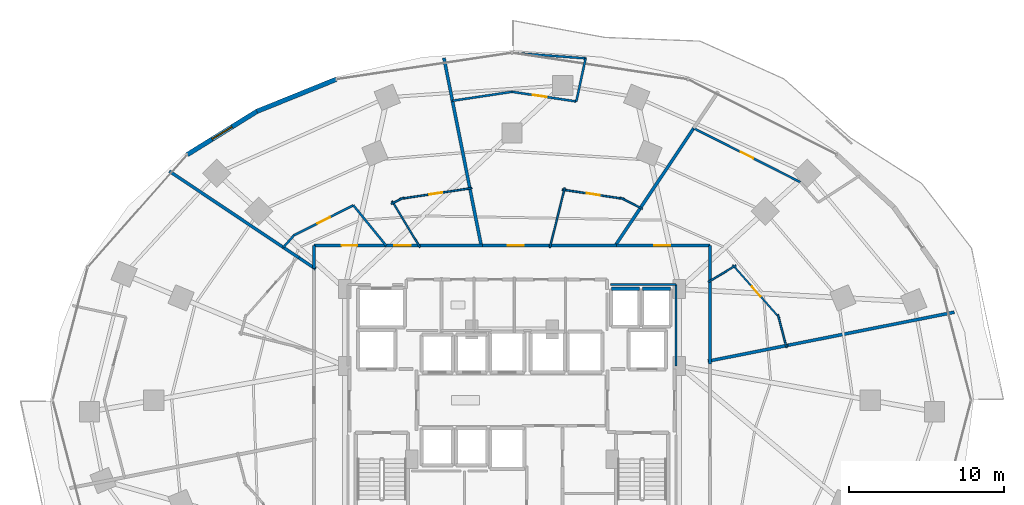
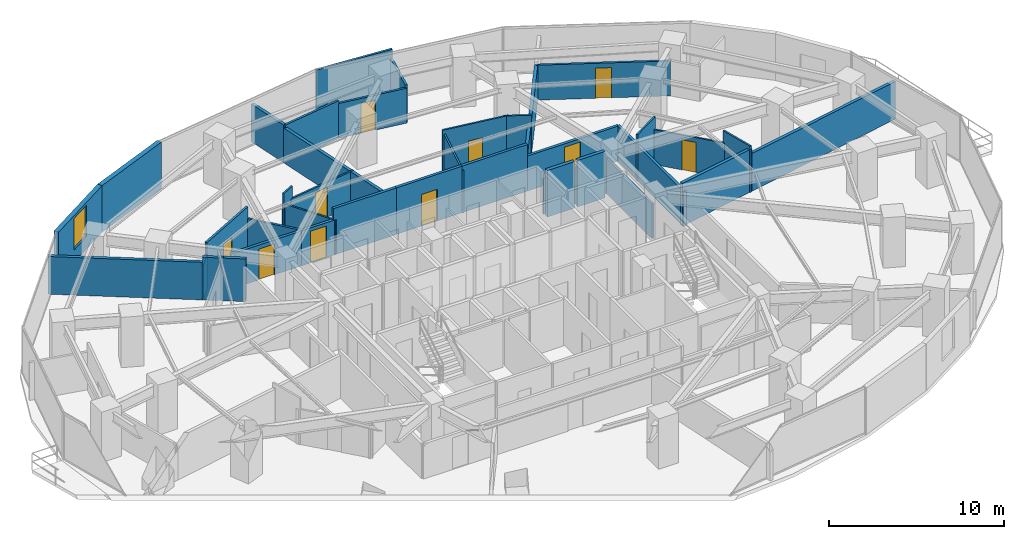
# One storey, part 26 of 30: 40 walls, 10 doors, 1 window, 11 openings.
"""IFC4 building model written with IfcOpenShell, lengths in metres."""

from ifc_helpers import new_model, si_unit, direction, frame, frame_2d, origin, place, context, subcontext, project, spatial, rectangle, extrude, material, layer, layer_set, type_object, element, fill, save


model = new_model("IFC4")

# Units and contexts
model_context = context("Model", 3, precision=1e-05, world=origin(), true_north=direction((0.0, 1.0)))
body_context = subcontext(model_context, "Body", "Model", "MODEL_VIEW")
ifc_project = project(units=[si_unit("LENGTHUNIT", "METRE"), si_unit("AREAUNIT", "SQUARE_METRE"), si_unit("VOLUMEUNIT", "CUBIC_METRE"), si_unit("PLANEANGLEUNIT", "RADIAN"), si_unit("MASSUNIT", "GRAM", prefix="KILO")], contexts=[model_context])

# Site, building, storey
site_placement = place(None, origin())
site = spatial("IfcSite", under=ifc_project, at=site_placement, CompositionType="ELEMENT")
building_placement = place(site_placement, origin())
building = spatial("IfcBuilding", under=site, at=building_placement, Name="Vorneva Point Tower", CompositionType="ELEMENT")
storey_placement = place(building_placement, frame((0.0, 0.0, 41.5)))
storey = spatial("IfcBuildingStorey", under=building, at=storey_placement, Name="L10", CompositionType="ELEMENT", Elevation=41.5)

# Wall
ifc_material_1 = material(Name="Precast concrete B50 (C40/50)", Category="concrete")
ifc_layer_1 = layer(ifc_material_1, 0.300048828125)
ifc_layer_set_1 = layer_set([ifc_layer_1], Name="Precast concrete B50 (C40/50)")
wall_type_1 = type_object("IfcWallType", Name="WL-EXT-300", PredefinedType="STANDARD", material=ifc_layer_set_1)
wall_1_placement = place(storey_placement, frame((26.691650390625, 46.648681640625, 0.0), z_axis=(0.0, 0.0, 1.0), x_axis=(-0.927095325176, -0.374825636845, 0.0)))
element("IfcWall", 1, at=wall_1_placement, inside=storey, type_object=wall_type_1, Name="L10 Pale-Metal Facade Spandrel Wall 06.1", PredefinedType="STANDARD", context=body_context, shape_type="SweptSolid", body=[
    extrude(rectangle(XDim=5.51025390625, YDim=0.300048828125, at=frame_2d((2.755126953125, 0.0))), origin(), (0.0, 0.0, 1.0), 3.239990234375),
])

# Wall, opening, window
wall_2_placement = place(storey_placement, frame((21.5830078125, 44.583251953125, 0.0), z_axis=(0.0, 0.0, 1.0), x_axis=(-0.849633724826, -0.527373239404, 0.0)))
wall_2 = element("IfcWall", 2, at=wall_2_placement, inside=storey, type_object=wall_type_1, Name="L10 Pale-Metal Facade Spandrel Wall 06.2", PredefinedType="STANDARD", context=body_context, shape_type="SweptSolid", body=[
    extrude(rectangle(XDim=5.2705078125, YDim=0.300048828125, at=frame_2d((2.63525390625, 0.0))), origin(), (0.0, 0.0, 1.0), 3.239990234375),
])
opening_1_placement = place(wall_2_placement, frame((1.88525390625, 0.0, 0.85009765625)))
opening_1 = element("IfcOpeningElement", 3, at=opening_1_placement, cuts=wall_2, Name="Opening W-02", PredefinedType="OPENING", context=body_context, shape_type="SweptSolid", body=[
    extrude(rectangle(XDim=1.5, YDim=2.18994140625, at=frame_2d((0.75, 1.094970703125))), frame((0.0, 0.1650390625, 0.0), z_axis=(0.0, -1.0, 0.0), x_axis=(1.0, 0.0, 0.0)), (0.0, 0.0, 1.0), 0.329833984375),
])
ifc_material_2 = material(Name="Double low-e laminated glass IGU", Category="glass")
window_type = type_object("IfcWindowType", Name="WN-HTL-1500", PartitioningType="SINGLE_PANEL", PredefinedType="WINDOW", material=ifc_material_2)
window_placement = place(opening_1_placement, origin())
window = element("IfcWindow", 4, at=window_placement, inside=storey, type_object=window_type, Name="L10 Facade Window 06", OverallHeight=2.18994140625, OverallWidth=1.5, PartitioningType="SINGLE_PANEL", PredefinedType="WINDOW", context=body_context, shape_type="SweptSolid", body=[
    extrude(rectangle(XDim=1.5, YDim=2.18994140625, at=frame_2d((0.75, 1.094970703125))), frame((0.0, 0.030029296875, 0.0), z_axis=(0.0, -1.0, 0.0), x_axis=(1.0, 0.0, 0.0)), (0.0, 0.0, 1.0), 0.06005859375),
])
fill(opening_1, window)

# Wall
ifc_material_3 = material(Name="Fire-rated acoustic gypsum stud partition", Category="gypsum")
ifc_layer_2 = layer(ifc_material_3, 0.110107421875)
ifc_layer_set_2 = layer_set([ifc_layer_2], Name="Fire-rated acoustic gypsum stud partition")
wall_type_2 = type_object("IfcWallType", Name="WL-PART-110", PredefinedType="PARTITIONING", material=ifc_layer_set_2)
wall_3_placement = place(storey_placement, frame((50.630126953125, 33.603759765625, 0.0), z_axis=(0.0, 0.0, 1.0), x_axis=(0.856631627837, 0.515928535932, 0.0)))
element("IfcWall", 5, at=wall_3_placement, inside=storey, type_object=wall_type_2, Name="L10 Interior Partition 049", PredefinedType="PARTITIONING", context=body_context, shape_type="SweptSolid", body=[
    extrude(rectangle(XDim=2.078857421875, YDim=0.110107421875, at=frame_2d((1.03955078125, 0.0))), origin(), (0.0, 0.0, 1.0), 3.239990234375),
])

# Wall, opening, door
wall_4_placement = place(storey_placement, frame((52.1982421875, 34.708984375, 0.0), z_axis=(0.0, 0.0, 1.0), x_axis=(0.662071486681, -0.74944068913, 0.0)))
wall_4 = element("IfcWall", 6, at=wall_4_placement, inside=storey, type_object=wall_type_2, Name="L10 Interior Partition 050", PredefinedType="PARTITIONING", context=body_context, shape_type="SweptSolid", body=[
    extrude(rectangle(XDim=4.593994140625, YDim=0.110107421875, at=frame_2d((2.296875, 0.0))), origin(), (0.0, 0.0, 1.0), 2.431884765625),
])
opening_2_placement = place(wall_4_placement, frame((1.871826171875, 0.0, 0.0)))
opening_2 = element("IfcOpeningElement", 7, at=opening_2_placement, cuts=wall_4, Name="Opening ID-02", PredefinedType="OPENING", context=body_context, shape_type="SweptSolid", body=[
    extrude(rectangle(XDim=0.85009765625, YDim=2.10009765625, at=frame_2d((0.425048828125, 1.050048828125))), frame((0.0, 0.06982421875, 0.0), z_axis=(0.0, -1.0, 0.0), x_axis=(1.0, 0.0, 0.0)), (0.0, 0.0, 1.0), 0.139892578125),
])
ifc_material_4 = material(Name="Engineered oak fire-rated door leaf", Category="wood")
door_type_1 = type_object("IfcDoorType", Name="DR-BATH-850", OperationType="NOTDEFINED", PredefinedType="DOOR", material=ifc_material_4)
door_1_placement = place(opening_2_placement, origin())
door_1 = element("IfcDoor", 8, at=door_1_placement, inside=storey, type_object=door_type_1, Name="L10 Door Executive Suite L10-01 / En-Suite Bathroom L10-01", OperationType="SINGLE_SWING_LEFT", OverallHeight=2.10009765625, OverallWidth=0.85009765625, PredefinedType="DOOR", context=body_context, shape_type="SweptSolid", body=[
    extrude(rectangle(XDim=0.85009765625, YDim=2.10009765625, at=frame_2d((0.425048828125, 1.050048828125))), frame((0.0, 0.02490234375, 0.0), z_axis=(0.0, -1.0, 0.0), x_axis=(1.0, 0.0, 0.0)), (0.0, 0.0, 1.0), 0.050048828125),
])
fill(opening_2, door_1)

# Walls
wall_5_placement = place(storey_placement, frame((55.111328125, 31.50634765625, 0.0), z_axis=(0.0, 0.0, 1.0), x_axis=(0.254389812051, -0.967101764823, 0.0)))
element("IfcWall", 9, at=wall_5_placement, inside=storey, type_object=wall_type_2, Name="L10 Interior Partition 051", PredefinedType="PARTITIONING", context=body_context, shape_type="SweptSolid", body=[
    extrude(rectangle(XDim=2.206298828125, YDim=0.110107421875, at=frame_2d((1.10302734375, 0.0))), origin(), (0.0, 0.0, 1.0), 3.239990234375),
])
wall_6_placement = place(storey_placement, frame((40.438232421875, 35.814208984375, 0.0), z_axis=(0.0, 0.0, 1.0), x_axis=(0.24101554649, 0.970521254971, 0.0)))
element("IfcWall", 10, at=wall_6_placement, inside=storey, type_object=wall_type_2, Name="L10 Interior Partition 059", PredefinedType="PARTITIONING", context=body_context, shape_type="SweptSolid", body=[
    extrude(rectangle(XDim=3.96875, YDim=0.110107421875, at=frame_2d((1.984375, 0.0))), origin(), (0.0, 0.0, 1.0), 2.971923828125),
])

# Wall, opening, door
wall_7_placement = place(storey_placement, frame((41.22265625, 39.55078125, 0.0), z_axis=(0.0, 0.0, 1.0), x_axis=(0.988911221338, -0.148507899833, 0.0)))
wall_7 = element("IfcWall", 11, at=wall_7_placement, inside=storey, type_object=wall_type_2, Name="L10 Interior Partition 060", PredefinedType="PARTITIONING", context=body_context, shape_type="SweptSolid", body=[
    extrude(rectangle(XDim=4.06396484375, YDim=0.110107421875, at=frame_2d((2.031982421875, 0.0))), origin(), (0.0, 0.0, 1.0), 3.239990234375),
])
opening_3_placement = place(wall_7_placement, frame((1.60693359375, 0.0, 0.0)))
opening_3 = element("IfcOpeningElement", 12, at=opening_3_placement, cuts=wall_7, Name="Opening ID-02", PredefinedType="OPENING", context=body_context, shape_type="SweptSolid", body=[
    extrude(rectangle(XDim=0.85009765625, YDim=2.10009765625, at=frame_2d((0.425048828125, 1.050048828125))), frame((0.0, 0.06982421875, 0.0), z_axis=(0.0, -1.0, 0.0), x_axis=(1.0, 0.0, 0.0)), (0.0, 0.0, 1.0), 0.139892578125),
])
door_2_placement = place(opening_3_placement, origin())
door_2 = element("IfcDoor", 13, at=door_2_placement, inside=storey, type_object=door_type_1, Name="L10 Door Corner Suite L10-02 / En-Suite Bathroom L10-02", OperationType="SINGLE_SWING_LEFT", OverallHeight=2.10009765625, OverallWidth=0.85009765625, PredefinedType="DOOR", context=body_context, shape_type="SweptSolid", body=[
    extrude(rectangle(XDim=0.85009765625, YDim=2.10009765625, at=frame_2d((0.425048828125, 1.050048828125))), frame((0.0, 0.02490234375, 0.0), z_axis=(0.0, -1.0, 0.0), x_axis=(1.0, 0.0, 0.0)), (0.0, 0.0, 1.0), 0.050048828125),
])
fill(opening_3, door_2)

# Walls
wall_8_placement = place(storey_placement, frame((44.97802734375, 39.03125, 0.0), z_axis=(0.0, 0.0, 1.0), x_axis=(0.892388427115, -0.451268096758, 0.0)))
element("IfcWall", 14, at=wall_8_placement, inside=storey, type_object=wall_type_2, Name="L10 Interior Partition 061", PredefinedType="PARTITIONING", context=body_context, shape_type="SweptSolid", body=[
    extrude(rectangle(XDim=1.587890625, YDim=0.110107421875, at=frame_2d((0.7939453125, 0.0))), origin(), (0.0, 0.0, 1.0), 3.239990234375),
])
wall_9_placement = place(storey_placement, frame((32.082275390625, 35.830078125, 0.0), z_axis=(0.0, 0.0, 1.0), x_axis=(-0.51585529038, 0.856675737597, 0.0)))
element("IfcWall", 15, at=wall_9_placement, inside=storey, type_object=wall_type_2, Name="L10 Interior Partition 068", PredefinedType="PARTITIONING", context=body_context, shape_type="SweptSolid", body=[
    extrude(rectangle(XDim=3.484130859375, YDim=0.110107421875, at=frame_2d((1.7421875, 0.0))), origin(), (0.0, 0.0, 1.0), 2.431884765625),
])
wall_10_placement = place(storey_placement, frame((30.232177734375, 38.6318359375, 0.0), z_axis=(0.0, 0.0, 1.0), x_axis=(0.892376579336, 0.451291525129, 0.0)))
element("IfcWall", 16, at=wall_10_placement, inside=storey, type_object=wall_type_2, Name="L10 Interior Partition 069", PredefinedType="PARTITIONING", context=body_context, shape_type="SweptSolid", body=[
    extrude(rectangle(XDim=0.885009765625, YDim=0.110107421875, at=frame_2d((0.4423828125, 0.0))), origin(), (0.0, 0.0, 1.0), 3.239990234375),
])

# Wall, opening, door
wall_11_placement = place(storey_placement, frame((30.758544921875, 38.947265625, 0.0), z_axis=(0.0, 0.0, 1.0), x_axis=(0.9889029502, 0.148562966739, 0.0)))
wall_11 = element("IfcWall", 17, at=wall_11_placement, inside=storey, type_object=wall_type_2, Name="L10 Interior Partition 070", PredefinedType="PARTITIONING", context=body_context, shape_type="SweptSolid", body=[
    extrude(rectangle(XDim=4.721435546875, YDim=0.110107421875, at=frame_2d((2.36083984375, 0.0))), origin(), (0.0, 0.0, 1.0), 2.431884765625),
])
opening_4_placement = place(wall_11_placement, frame((1.935546875, 0.0, 0.0)))
opening_4 = element("IfcOpeningElement", 18, at=opening_4_placement, cuts=wall_11, Name="Opening ID-02", PredefinedType="OPENING", context=body_context, shape_type="SweptSolid", body=[
    extrude(rectangle(XDim=0.85009765625, YDim=2.10009765625, at=frame_2d((0.425048828125, 1.050048828125))), frame((0.0, 0.06982421875, 0.0), z_axis=(0.0, -1.0, 0.0), x_axis=(1.0, 0.0, 0.0)), (0.0, 0.0, 1.0), 0.139892578125),
])
door_3_placement = place(opening_4_placement, origin())
door_3 = element("IfcDoor", 19, at=door_3_placement, inside=storey, type_object=door_type_1, Name="L10 Door Junior Suite L10-03 / En-Suite Bathroom L10-03", OperationType="SINGLE_SWING_RIGHT", OverallHeight=2.10009765625, OverallWidth=0.85009765625, PredefinedType="DOOR", context=body_context, shape_type="SweptSolid", body=[
    extrude(rectangle(XDim=0.85009765625, YDim=2.10009765625, at=frame_2d((0.425048828125, 1.050048828125))), frame((0.0, 0.02490234375, 0.0), z_axis=(0.0, -1.0, 0.0), x_axis=(1.0, 0.0, 0.0)), (0.0, 0.0, 1.0), 0.050048828125),
])
fill(opening_4, door_3)

ifc_layer_3 = layer(ifc_material_3, 0.139892578125)
ifc_layer_set_3 = layer_set([ifc_layer_3], Name="Fire-rated acoustic gypsum stud partition")
wall_type_3 = type_object("IfcWallType", Name="WL-PART-140", PredefinedType="PARTITIONING", material=ifc_layer_set_3)
wall_12_placement = place(storey_placement, frame((56.553955078125, 40.031982421875, 0.0), z_axis=(0.0, 0.0, 1.0), x_axis=(-0.892545780062, 0.450956794487, 0.0)))
wall_12 = element("IfcWall", 20, at=wall_12_placement, inside=storey, type_object=wall_type_3, Name="L10 Interior Partition 054", PredefinedType="PARTITIONING", context=body_context, shape_type="SweptSolid", body=[
    extrude(rectangle(XDim=7.688232421875, YDim=0.139892578125, at=frame_2d((3.84423828125, 0.0))), origin(), (0.0, 0.0, 1.0), 2.431884765625),
])
opening_5_placement = place(wall_12_placement, frame((3.39404296875, 0.0, 0.0)))
opening_5 = element("IfcOpeningElement", 21, at=opening_5_placement, cuts=wall_12, Name="Opening ID-01", PredefinedType="OPENING", context=body_context, shape_type="SweptSolid", body=[
    extrude(rectangle(XDim=0.89990234375, YDim=2.10009765625, at=frame_2d((0.449951171875, 1.050048828125))), frame((0.0, 0.0849609375, 0.0), z_axis=(0.0, -1.0, 0.0), x_axis=(1.0, 0.0, 0.0)), (0.0, 0.0, 1.0), 0.169677734375),
])
door_type_2 = type_object("IfcDoorType", Name="DR-ROOM-900", OperationType="NOTDEFINED", PredefinedType="DOOR", material=ifc_material_4)
door_4_placement = place(opening_5_placement, origin())
door_4 = element("IfcDoor", 22, at=door_4_placement, inside=storey, type_object=door_type_2, Name="L10 Door Executive Suite L10-01 / Suite Sitting Study L10-01", OperationType="SINGLE_SWING_RIGHT", OverallHeight=2.10009765625, OverallWidth=0.89990234375, PredefinedType="DOOR", context=body_context, shape_type="SweptSolid", body=[
    extrude(rectangle(XDim=0.89990234375, YDim=2.10009765625, at=frame_2d((0.449951171875, 1.050048828125))), frame((0.0, 0.02490234375, 0.0), z_axis=(0.0, -1.0, 0.0), x_axis=(1.0, 0.0, 0.0)), (0.0, 0.0, 1.0), 0.050048828125),
])
fill(opening_5, door_4)

# Walls
wall_13_placement = place(storey_placement, frame((42.7958984375, 47.991943359375, 0.0), z_axis=(0.0, 0.0, 1.0), x_axis=(-0.99722311136, 0.074471915311, 0.0)))
element("IfcWall", 23, at=wall_13_placement, inside=storey, type_object=wall_type_3, Name="L10 Interior Partition 062", PredefinedType="PARTITIONING", context=body_context, shape_type="SweptSolid", body=[
    extrude(rectangle(XDim=4.809326171875, YDim=0.139892578125, at=frame_2d((2.40478515625, 0.0))), origin(), (0.0, 0.0, 1.0), 3.239990234375),
])
wall_14_placement = place(storey_placement, frame((42.736083984375, 47.99609375, 0.0), z_axis=(0.0, 0.0, 1.0), x_axis=(-0.210697687201, -0.977551269555, 0.0)))
element("IfcWall", 24, at=wall_14_placement, inside=storey, type_object=wall_type_3, Name="L10 Interior Partition 063", PredefinedType="PARTITIONING", context=body_context, shape_type="SweptSolid", body=[
    extrude(rectangle(XDim=2.8388671875, YDim=0.139892578125, at=frame_2d((1.41943359375, 0.0))), origin(), (0.0, 0.0, 1.0), 2.6240234375),
])

# Wall, opening, door
wall_15_placement = place(storey_placement, frame((42.137939453125, 45.220947265625, 0.0), z_axis=(0.0, 0.0, 1.0), x_axis=(-0.988853606593, 0.148891049857, 0.0)))
wall_15 = element("IfcWall", 25, at=wall_15_placement, inside=storey, type_object=wall_type_3, Name="L10 Interior Partition 064", PredefinedType="PARTITIONING", context=body_context, shape_type="SweptSolid", body=[
    extrude(rectangle(XDim=4.1845703125, YDim=0.139892578125, at=frame_2d((2.09228515625, 0.0))), origin(), (0.0, 0.0, 1.0), 2.431884765625),
])
opening_6_placement = place(wall_15_placement, frame((1.92236328125, 0.0, 0.0)))
opening_6 = element("IfcOpeningElement", 26, at=opening_6_placement, cuts=wall_15, Name="Opening ID-01", PredefinedType="OPENING", context=body_context, shape_type="SweptSolid", body=[
    extrude(rectangle(XDim=0.89990234375, YDim=2.10009765625, at=frame_2d((0.449951171875, 1.050048828125))), frame((0.0, 0.0849609375, 0.0), z_axis=(0.0, -1.0, 0.0), x_axis=(1.0, 0.0, 0.0)), (0.0, 0.0, 1.0), 0.169677734375),
])
door_5_placement = place(opening_6_placement, origin())
door_5 = element("IfcDoor", 27, at=door_5_placement, inside=storey, type_object=door_type_2, Name="L10 Door Corner Suite L10-02 / Suite Sitting Study L10-02", OperationType="SINGLE_SWING_RIGHT", OverallHeight=2.10009765625, OverallWidth=0.89990234375, PredefinedType="DOOR", context=body_context, shape_type="SweptSolid", body=[
    extrude(rectangle(XDim=0.89990234375, YDim=2.10009765625, at=frame_2d((0.449951171875, 1.050048828125))), frame((0.0, 0.02490234375, 0.0), z_axis=(0.0, -1.0, 0.0), x_axis=(1.0, 0.0, 0.0)), (0.0, 0.0, 1.0), 0.050048828125),
])
fill(opening_6, door_5)

# Walls
wall_16_placement = place(storey_placement, frame((38.0, 45.843994140625, 0.0), z_axis=(0.0, 0.0, 1.0), x_axis=(-0.988862311426, -0.148833225599, 0.0)))
element("IfcWall", 28, at=wall_16_placement, inside=storey, type_object=wall_type_3, Name="L10 Interior Partition 065", PredefinedType="PARTITIONING", context=body_context, shape_type="SweptSolid", body=[
    extrude(rectangle(XDim=3.876220703125, YDim=0.139892578125, at=frame_2d((1.93798828125, 0.0))), origin(), (0.0, 0.0, 1.0), 2.6240234375),
])
wall_17_placement = place(storey_placement, frame((23.283935546875, 35.83203125, 0.0), z_axis=(0.0, 0.0, 1.0), x_axis=(0.662462125237, 0.749095409561, 0.0)))
element("IfcWall", 29, at=wall_17_placement, inside=storey, type_object=wall_type_3, Name="L10 Interior Partition 071", PredefinedType="PARTITIONING", context=body_context, shape_type="SweptSolid", body=[
    extrude(rectangle(XDim=1.037109375, YDim=0.139892578125, at=frame_2d((0.5185546875, 0.0))), origin(), (0.0, 0.0, 1.0), 2.431884765625),
])

# Wall, opening, door
wall_18_placement = place(storey_placement, frame((23.970947265625, 36.60888671875, 0.0), z_axis=(0.0, 0.0, 1.0), x_axis=(0.892445030909, 0.451156144596, 0.0)))
wall_18 = element("IfcWall", 30, at=wall_18_placement, inside=storey, type_object=wall_type_3, Name="L10 Interior Partition 072", PredefinedType="PARTITIONING", context=body_context, shape_type="SweptSolid", body=[
    extrude(rectangle(XDim=4.280517578125, YDim=0.139892578125, at=frame_2d((2.14013671875, 0.0))), origin(), (0.0, 0.0, 1.0), 3.239990234375),
])
opening_7_placement = place(wall_18_placement, frame((1.690185546875, 0.0, 0.0)))
opening_7 = element("IfcOpeningElement", 31, at=opening_7_placement, cuts=wall_18, Name="Opening ID-01", PredefinedType="OPENING", context=body_context, shape_type="SweptSolid", body=[
    extrude(rectangle(XDim=0.89990234375, YDim=2.10009765625, at=frame_2d((0.449951171875, 1.050048828125))), frame((0.0, 0.0849609375, 0.0), z_axis=(0.0, -1.0, 0.0), x_axis=(1.0, 0.0, 0.0)), (0.0, 0.0, 1.0), 0.169677734375),
])
door_6_placement = place(opening_7_placement, origin())
door_6 = element("IfcDoor", 32, at=door_6_placement, inside=storey, type_object=door_type_2, Name="L10 Door Junior Suite L10-03 / Suite Sitting Study L10-03", OperationType="SINGLE_SWING_LEFT", OverallHeight=2.10009765625, OverallWidth=0.89990234375, PredefinedType="DOOR", context=body_context, shape_type="SweptSolid", body=[
    extrude(rectangle(XDim=0.89990234375, YDim=2.10009765625, at=frame_2d((0.449951171875, 1.050048828125))), frame((0.0, 0.02490234375, 0.0), z_axis=(0.0, -1.0, 0.0), x_axis=(1.0, 0.0, 0.0)), (0.0, 0.0, 1.0), 0.050048828125),
])
fill(opening_7, door_6)

# Walls
wall_19_placement = place(storey_placement, frame((27.791015625, 38.5400390625, 0.0), z_axis=(0.0, 0.0, 1.0), x_axis=(0.631217195835, -0.775606118904, 0.0)))
element("IfcWall", 33, at=wall_19_placement, inside=storey, type_object=wall_type_3, Name="L10 Interior Partition 073", PredefinedType="PARTITIONING", context=body_context, shape_type="SweptSolid", body=[
    extrude(rectangle(XDim=3.33935546875, YDim=0.139892578125, at=frame_2d((1.669677734375, 0.0))), origin(), (0.0, 0.0, 1.0), 2.431884765625),
])
wall_20_placement = place(storey_placement, frame((44.340087890625, 33.449951171875, 0.0), z_axis=(0.0, 0.0, 1.0), x_axis=(1.0, 0.0, 0.0)))
element("IfcWall", 34, at=wall_20_placement, inside=storey, type_object=wall_type_3, Name="L10 Interior Closure Partition 101", PredefinedType="PARTITIONING", context=body_context, shape_type="SweptSolid", body=[
    extrude(rectangle(XDim=4.2099609375, YDim=0.139892578125, at=frame_2d((2.10498046875, 0.0))), origin(), (0.0, 0.0, 1.0), 2.431884765625),
])
wall_21_placement = place(storey_placement, frame((48.550048828125, 33.449951171875, 0.0), z_axis=(0.0, 0.0, 1.0), x_axis=(0.0, -1.0, 0.0)))
element("IfcWall", 35, at=wall_21_placement, inside=storey, type_object=wall_type_3, Name="L10 Interior Closure Partition 102", PredefinedType="PARTITIONING", context=body_context, shape_type="SweptSolid", body=[
    extrude(rectangle(XDim=5.25390625, YDim=0.139892578125, at=frame_2d((2.626953125, 0.0))), origin(), (0.0, 0.0, 1.0), 2.431884765625),
])
ifc_material_5 = material(Name="Autoclaved aerated concrete blockwork", Category="masonry")
ifc_layer_4 = layer(ifc_material_5, 0.179931640625)
ifc_layer_set_4 = layer_set([ifc_layer_4], Name="Autoclaved aerated concrete blockwork")
wall_type_4 = type_object("IfcWallType", Name="WL-PART-180", PredefinedType="PARTITIONING", material=ifc_layer_set_4)
wall_22_placement = place(storey_placement, frame((50.75, 33.615966796875, 0.0), z_axis=(0.0, 0.0, 1.0), x_axis=(0.0, 1.0, 0.0)))
element("IfcWall", 36, at=wall_22_placement, inside=storey, type_object=wall_type_4, Name="L10 Interior Partition 028", PredefinedType="PARTITIONING", context=body_context, shape_type="SweptSolid", body=[
    extrude(rectangle(XDim=2.333984375, YDim=0.179931640625, at=frame_2d((1.1669921875, 0.0))), origin(), (0.0, 0.0, 1.0), 2.431884765625),
])

# Wall, opening, door
wall_23_placement = place(storey_placement, frame((50.75, 35.949951171875, 0.0), z_axis=(0.0, 0.0, 1.0), x_axis=(-1.0, 0.0, 0.0)))
wall_23 = element("IfcWall", 37, at=wall_23_placement, inside=storey, type_object=wall_type_4, Name="L10 Interior Partition 029", PredefinedType="PARTITIONING", context=body_context, shape_type="SweptSolid", body=[
    extrude(rectangle(XDim=6.162109375, YDim=0.179931640625, at=frame_2d((3.0810546875, 0.0))), origin(), (0.0, 0.0, 1.0), 2.431884765625),
])
opening_8_placement = place(wall_23_placement, frame((2.555908203125, 0.0, 0.0)))
opening_8 = element("IfcOpeningElement", 38, at=opening_8_placement, cuts=wall_23, Name="Opening UD-02", PredefinedType="OPENING", context=body_context, shape_type="SweptSolid", body=[
    extrude(rectangle(XDim=1.050048828125, YDim=2.199951171875, at=frame_2d((0.52490234375, 1.10009765625))), frame((0.0, 0.10498046875, 0.0), z_axis=(0.0, -1.0, 0.0), x_axis=(1.0, 0.0, 0.0)), (0.0, 0.0, 1.0), 0.209716796875),
])
door_type_3 = type_object("IfcDoorType", Name="DR-SUITE-1050", OperationType="NOTDEFINED", PredefinedType="DOOR", material=ifc_material_4)
door_7_placement = place(opening_8_placement, origin())
door_7 = element("IfcDoor", 39, at=door_7_placement, inside=storey, type_object=door_type_3, Name="L10 Door L10 Circulation Corridor / Executive Suite L10-01", OperationType="SINGLE_SWING_RIGHT", OverallHeight=2.199951171875, OverallWidth=1.050048828125, PredefinedType="DOOR", context=body_context, shape_type="SweptSolid", body=[
    extrude(rectangle(XDim=1.050048828125, YDim=2.199951171875, at=frame_2d((0.52490234375, 1.10009765625))), frame((0.0, 0.02490234375, 0.0), z_axis=(0.0, -1.0, 0.0), x_axis=(1.0, 0.0, 0.0)), (0.0, 0.0, 1.0), 0.050048828125),
])
fill(opening_8, door_7)

# Wall
wall_24_placement = place(storey_placement, frame((50.75, 28.3359375, 0.0), z_axis=(0.0, 0.0, 1.0), x_axis=(0.0, 1.0, 0.0)))
element("IfcWall", 40, at=wall_24_placement, inside=storey, type_object=wall_type_4, Name="L10 Interior Partition 030", PredefinedType="PARTITIONING", context=body_context, shape_type="SweptSolid", body=[
    extrude(rectangle(XDim=5.420166015625, YDim=0.179931640625, at=frame_2d((2.7099609375, 0.0))), origin(), (0.0, 0.0, 1.0), 2.431884765625),
])

# Wall, opening, door
wall_25_placement = place(storey_placement, frame((40.533935546875, 35.949951171875, 0.0), z_axis=(0.0, 0.0, 1.0), x_axis=(-1.0, 0.0, 0.0)))
wall_25 = element("IfcWall", 41, at=wall_25_placement, inside=storey, type_object=wall_type_4, Name="L10 Interior Partition 031", PredefinedType="PARTITIONING", context=body_context, shape_type="SweptSolid", body=[
    extrude(rectangle(XDim=4.573974609375, YDim=0.179931640625, at=frame_2d((2.287109375, 0.0))), origin(), (0.0, 0.0, 1.0), 3.239990234375),
])
opening_9_placement = place(wall_25_placement, frame((1.761962890625, 0.0, 0.0)))
opening_9 = element("IfcOpeningElement", 42, at=opening_9_placement, cuts=wall_25, Name="Opening UD-02", PredefinedType="OPENING", context=body_context, shape_type="SweptSolid", body=[
    extrude(rectangle(XDim=1.050048828125, YDim=2.199951171875, at=frame_2d((0.52490234375, 1.10009765625))), frame((0.0, 0.10498046875, 0.0), z_axis=(0.0, -1.0, 0.0), x_axis=(1.0, 0.0, 0.0)), (0.0, 0.0, 1.0), 0.209716796875),
])
door_8_placement = place(opening_9_placement, origin())
door_8 = element("IfcDoor", 43, at=door_8_placement, inside=storey, type_object=door_type_3, Name="L10 Door L10 Circulation Corridor / Corner Suite L10-02", OperationType="SINGLE_SWING_LEFT", OverallHeight=2.199951171875, OverallWidth=1.050048828125, PredefinedType="DOOR", context=body_context, shape_type="SweptSolid", body=[
    extrude(rectangle(XDim=1.050048828125, YDim=2.199951171875, at=frame_2d((0.52490234375, 1.10009765625))), frame((0.0, 0.02490234375, 0.0), z_axis=(0.0, -1.0, 0.0), x_axis=(1.0, 0.0, 0.0)), (0.0, 0.0, 1.0), 0.050048828125),
])
fill(opening_9, door_8)

# Wall
wall_26_placement = place(storey_placement, frame((44.72802734375, 35.949951171875, 0.0), z_axis=(0.0, 0.0, 1.0), x_axis=(-1.0, 0.0, 0.0)))
element("IfcWall", 44, at=wall_26_placement, inside=storey, type_object=wall_type_4, Name="L10 Interior Partition 032", PredefinedType="PARTITIONING", context=body_context, shape_type="SweptSolid", body=[
    extrude(rectangle(XDim=4.333984375, YDim=0.179931640625, at=frame_2d((2.1669921875, 0.0))), origin(), (0.0, 0.0, 1.0), 3.239990234375),
])

# Wall, opening, door
wall_27_placement = place(storey_placement, frame((32.070068359375, 35.949951171875, 0.0), z_axis=(0.0, 0.0, 1.0), x_axis=(-1.0, 0.0, 0.0)))
wall_27 = element("IfcWall", 45, at=wall_27_placement, inside=storey, type_object=wall_type_4, Name="L10 Interior Partition 033", PredefinedType="PARTITIONING", context=body_context, shape_type="SweptSolid", body=[
    extrude(rectangle(XDim=2.248046875, YDim=0.179931640625, at=frame_2d((1.1240234375, 0.0))), origin(), (0.0, 0.0, 1.0), 2.431884765625),
])
opening_10_placement = place(wall_27_placement, frame((0.59912109375, 0.0, 0.0)))
opening_10 = element("IfcOpeningElement", 46, at=opening_10_placement, cuts=wall_27, Name="Opening UD-02", PredefinedType="OPENING", context=body_context, shape_type="SweptSolid", body=[
    extrude(rectangle(XDim=1.050048828125, YDim=2.199951171875, at=frame_2d((0.52490234375, 1.10009765625))), frame((0.0, 0.10498046875, 0.0), z_axis=(0.0, -1.0, 0.0), x_axis=(1.0, 0.0, 0.0)), (0.0, 0.0, 1.0), 0.209716796875),
])
door_9_placement = place(opening_10_placement, origin())
door_9 = element("IfcDoor", 47, at=door_9_placement, inside=storey, type_object=door_type_3, Name="L10 Door L10 Circulation Corridor / Junior Suite L10-03", OperationType="SINGLE_SWING_RIGHT", OverallHeight=2.199951171875, OverallWidth=1.050048828125, PredefinedType="DOOR", context=body_context, shape_type="SweptSolid", body=[
    extrude(rectangle(XDim=1.050048828125, YDim=2.199951171875, at=frame_2d((0.52490234375, 1.10009765625))), frame((0.0, 0.02490234375, 0.0), z_axis=(0.0, -1.0, 0.0), x_axis=(1.0, 0.0, 0.0)), (0.0, 0.0, 1.0), 0.050048828125),
])
fill(opening_10, door_9)

# Wall
wall_28_placement = place(storey_placement, frame((36.10009765625, 35.949951171875, 0.0), z_axis=(0.0, 0.0, 1.0), x_axis=(-1.0, 0.0, 0.0)))
element("IfcWall", 48, at=wall_28_placement, inside=storey, type_object=wall_type_4, Name="L10 Interior Partition 034", PredefinedType="PARTITIONING", context=body_context, shape_type="SweptSolid", body=[
    extrude(rectangle(XDim=4.170166015625, YDim=0.179931640625, at=frame_2d((2.0849609375, 0.0))), origin(), (0.0, 0.0, 1.0), 3.239990234375),
])

# Wall, opening, door
wall_29_placement = place(storey_placement, frame((29.822021484375, 35.949951171875, 0.0), z_axis=(0.0, 0.0, 1.0), x_axis=(-1.0, 0.0, 0.0)))
wall_29 = element("IfcWall", 49, at=wall_29_placement, inside=storey, type_object=wall_type_4, Name="L10 Interior Partition 035", PredefinedType="PARTITIONING", context=body_context, shape_type="SweptSolid", body=[
    extrude(rectangle(XDim=4.572021484375, YDim=0.179931640625, at=frame_2d((2.2861328125, 0.0))), origin(), (0.0, 0.0, 1.0), 2.431884765625),
])
opening_11_placement = place(wall_29_placement, frame((1.785888671875, 0.0, 0.0)))
opening_11 = element("IfcOpeningElement", 50, at=opening_11_placement, cuts=wall_29, Name="Opening UD-01", PredefinedType="OPENING", context=body_context, shape_type="SweptSolid", body=[
    extrude(rectangle(XDim=1.0, YDim=2.14990234375, at=frame_2d((0.5, 1.074951171875))), frame((0.0, 0.10498046875, 0.0), z_axis=(0.0, -1.0, 0.0), x_axis=(1.0, 0.0, 0.0)), (0.0, 0.0, 1.0), 0.209716796875),
])
door_type_4 = type_object("IfcDoorType", Name="DR-UNIT-1000", OperationType="NOTDEFINED", PredefinedType="DOOR", material=ifc_material_4)
door_10_placement = place(opening_11_placement, origin())
door_10 = element("IfcDoor", 51, at=door_10_placement, inside=storey, type_object=door_type_4, Name="L10 Door L10 Circulation Corridor / Suite Sitting Study L10-03", OperationType="SINGLE_SWING_LEFT", OverallHeight=2.14990234375, OverallWidth=1.0, PredefinedType="DOOR", context=body_context, shape_type="SweptSolid", body=[
    extrude(rectangle(XDim=1.0, YDim=2.14990234375, at=frame_2d((0.5, 1.074951171875))), frame((0.0, 0.02490234375, 0.0), z_axis=(0.0, -1.0, 0.0), x_axis=(1.0, 0.0, 0.0)), (0.0, 0.0, 1.0), 0.050048828125),
])
fill(opening_11, door_10)

# Walls
wall_30_placement = place(storey_placement, frame((25.25, 35.949951171875, 0.0), z_axis=(0.0, 0.0, 1.0), x_axis=(0.0, -1.0, 0.0)))
element("IfcWall", 52, at=wall_30_placement, inside=storey, type_object=wall_type_4, Name="L10 Interior Partition 036", PredefinedType="PARTITIONING", context=body_context, shape_type="SweptSolid", body=[
    extrude(rectangle(XDim=1.490966796875, YDim=0.179931640625, at=frame_2d((0.74560546875, 0.0))), origin(), (0.0, 0.0, 1.0), 2.431884765625),
])
ifc_layer_5 = layer(ifc_material_5, 0.199951171875)
ifc_layer_set_5 = layer_set([ifc_layer_5], Name="Autoclaved aerated concrete blockwork")
wall_type_5 = type_object("IfcWallType", Name="WL-PART-200", PredefinedType="PARTITIONING", material=ifc_layer_set_5)
wall_31_placement = place(storey_placement, frame((49.69189453125, 43.4990234375, 0.0), z_axis=(0.0, 0.0, 1.0), x_axis=(-0.555556259167, -0.831478949163, 0.0)))
element("IfcWall", 53, at=wall_31_placement, inside=storey, type_object=wall_type_5, Name="L10 Interior Partition 055", PredefinedType="PARTITIONING", context=body_context, shape_type="SweptSolid", body=[
    extrude(rectangle(XDim=9.0791015625, YDim=0.199951171875, at=frame_2d((4.53955078125, 0.0))), origin(), (0.0, 0.0, 1.0), 2.431884765625),
])
wall_32_placement = place(storey_placement, frame((55.636962890625, 29.508056640625, 0.0), z_axis=(0.0, 0.0, 1.0), x_axis=(0.980781844691, 0.195107593712, 0.0)))
element("IfcWall", 54, at=wall_32_placement, inside=storey, type_object=wall_type_5, Name="L10 Interior Partition 056", PredefinedType="PARTITIONING", context=body_context, shape_type="SweptSolid", body=[
    extrude(rectangle(XDim=11.0341796875, YDim=0.199951171875, at=frame_2d((5.51708984375, 0.0))), origin(), (0.0, 0.0, 1.0), 2.6240234375),
])
wall_33_placement = place(storey_placement, frame((50.61279296875, 28.5087890625, 0.0), z_axis=(0.0, 0.0, 1.0), x_axis=(0.980788877604, 0.195072236795, 0.0)))
element("IfcWall", 55, at=wall_33_placement, inside=storey, type_object=wall_type_5, Name="L10 Interior Partition 057", PredefinedType="PARTITIONING", context=body_context, shape_type="SweptSolid", body=[
    extrude(rectangle(XDim=5.2626953125, YDim=0.199951171875, at=frame_2d((2.63134765625, 0.0))), origin(), (0.0, 0.0, 1.0), 2.971923828125),
])
wall_34_placement = place(storey_placement, frame((34.1669921875, 45.26708984375, 0.0), z_axis=(0.0, 0.0, 1.0), x_axis=(0.19516219459, -0.980770981322, 0.0)))
element("IfcWall", 56, at=wall_34_placement, inside=storey, type_object=wall_type_5, Name="L10 Interior Partition 066", PredefinedType="PARTITIONING", context=body_context, shape_type="SweptSolid", body=[
    extrude(rectangle(XDim=9.499755859375, YDim=0.199951171875, at=frame_2d((4.75, 0.0))), origin(), (0.0, 0.0, 1.0), 2.431884765625),
])
wall_35_placement = place(storey_placement, frame((33.618896484375, 48.02294921875, 0.0), z_axis=(0.0, 0.0, 1.0), x_axis=(0.195063341769, -0.980790646722, 0.0)))
element("IfcWall", 57, at=wall_35_placement, inside=storey, type_object=wall_type_5, Name="L10 Interior Partition 067", PredefinedType="PARTITIONING", context=body_context, shape_type="SweptSolid", body=[
    extrude(rectangle(XDim=2.809814453125, YDim=0.199951171875, at=frame_2d((1.40478515625, 0.0))), origin(), (0.0, 0.0, 1.0), 2.6240234375),
])
wall_36_placement = place(storey_placement, frame((15.947021484375, 40.735107421875, 0.0), z_axis=(0.0, 0.0, 1.0), x_axis=(0.831432604336, -0.555625615363, 0.0)))
element("IfcWall", 58, at=wall_36_placement, inside=storey, type_object=wall_type_5, Name="L10 Interior Partition 074", PredefinedType="PARTITIONING", context=body_context, shape_type="SweptSolid", body=[
    extrude(rectangle(XDim=8.824462890625, YDim=0.199951171875, at=frame_2d((4.412109375, 0.0))), origin(), (0.0, 0.0, 1.0), 2.6240234375),
])
wall_37_placement = place(storey_placement, frame((23.283935546875, 35.83203125, 0.0), z_axis=(0.0, 0.0, 1.0), x_axis=(0.831550226979, -0.555449565677, 0.0)))
element("IfcWall", 59, at=wall_37_placement, inside=storey, type_object=wall_type_5, Name="L10 Interior Partition 075", PredefinedType="PARTITIONING", context=body_context, shape_type="SweptSolid", body=[
    extrude(rectangle(XDim=1.20263671875, YDim=0.199951171875, at=frame_2d((0.601318359375, 0.0))), origin(), (0.0, 0.0, 1.0), 2.971923828125),
])
wall_38_placement = place(storey_placement, frame((24.16748046875, 35.241455078125, 0.0), z_axis=(0.0, 0.0, 1.0), x_axis=(0.831815696492, -0.555051931868, 0.0)))
element("IfcWall", 60, at=wall_38_placement, inside=storey, type_object=wall_type_5, Name="L10 Interior Partition 076", PredefinedType="PARTITIONING", context=body_context, shape_type="SweptSolid", body=[
    extrude(rectangle(XDim=1.44140625, YDim=0.199951171875, at=frame_2d((0.720703125, 0.0))), origin(), (0.0, 0.0, 1.0), 2.971923828125),
])
ifc_material_6 = material(Name="Concrete B50 (C40/50)", Category="concrete")
ifc_layer_6 = layer(ifc_material_6, 0.219970703125)
ifc_layer_set_6 = layer_set([ifc_layer_6], Name="Concrete B50 (C40/50)")
wall_type_6 = type_object("IfcWallType", Name="WL-SHFT-220", PredefinedType="SOLIDWALL", material=ifc_layer_set_6)
for number, where, z_axis, x_axis, name in (
    (61, (46.199951171875, 33.159912109375, 0.0), (0.0, 0.0, 1.0), (-1.0, 0.0, 0.0), "L10 Lift EX1 Shaft Wall +Y"),
    (62, (48.199951171875, 33.159912109375, 0.0), (0.0, 0.0, 1.0), (-1.0, 0.0, 0.0), "L10 Lift EX2 Shaft Wall +Y"),
):
    element("IfcWall", number, at=place(storey_placement, frame(where, z_axis=z_axis, x_axis=x_axis)), inside=storey, type_object=wall_type_6, Name=name, PredefinedType="SOLIDWALL", context=body_context, shape_type="SweptSolid", body=[
        extrude(rectangle(XDim=1.800048828125, YDim=0.219970703125, at=frame_2d((0.89990234375, 0.0))), origin(), (0.0, 0.0, 1.0), 3.239990234375),
    ])

save(model, "model.ifc")
